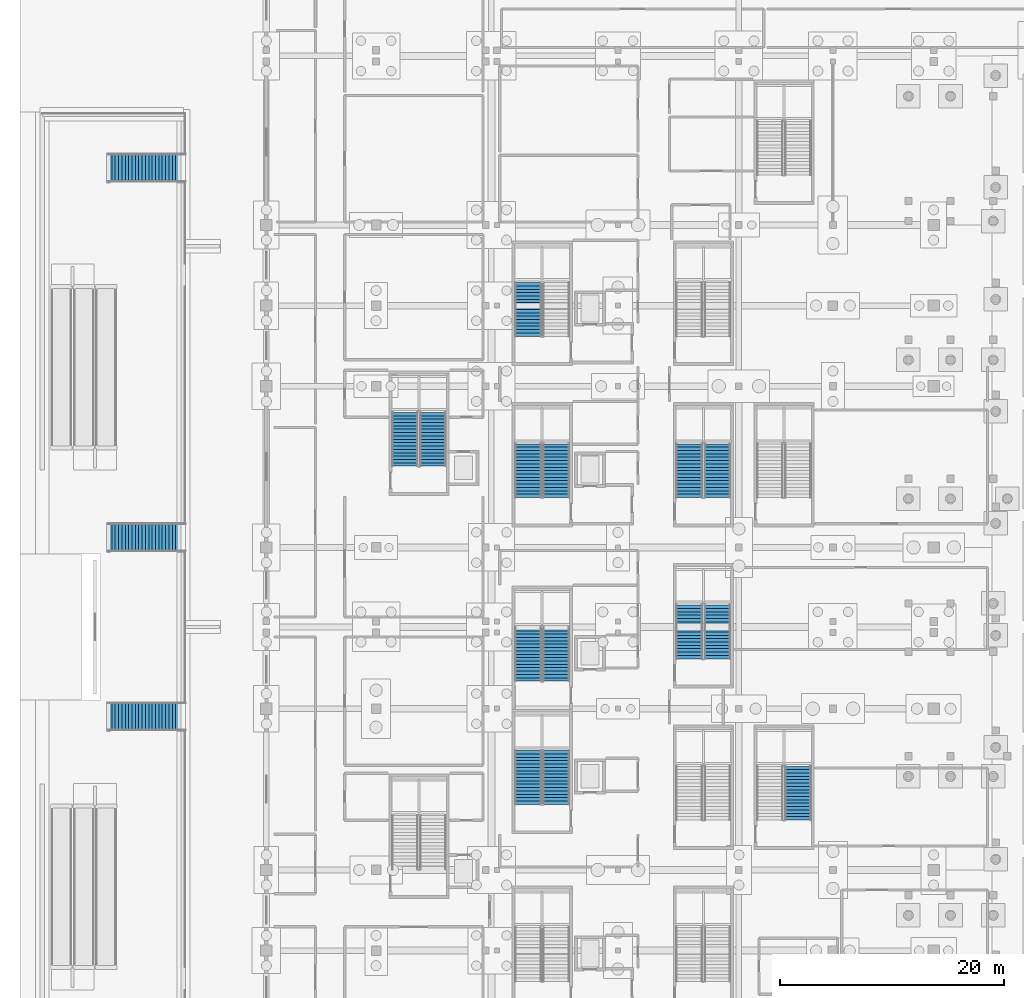
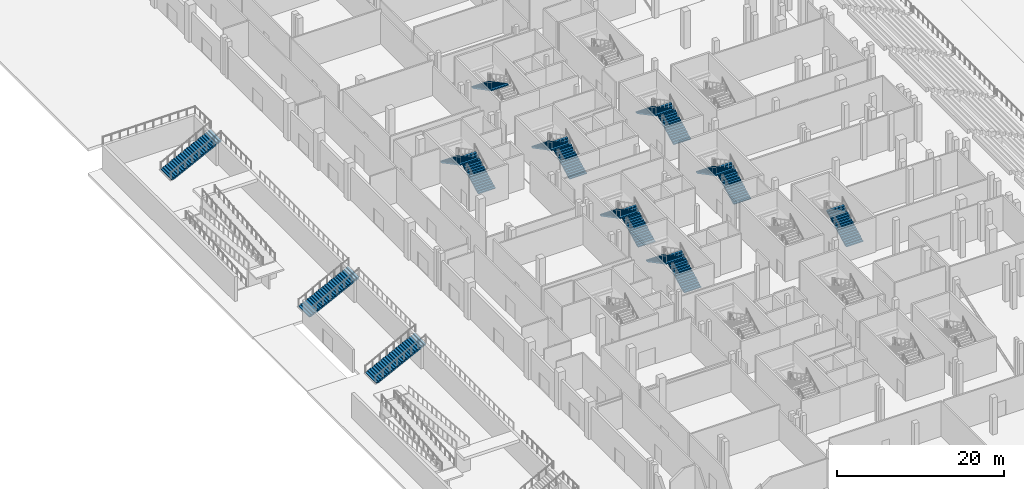
# One storey, part 52 of 89: 17 stair flights, 11 elements without a shape of their own.
"""IFC4 building model written with IfcOpenShell, lengths in metres."""

from ifc_helpers import new_model, si_unit, direction, frame, origin, place, context, subcontext, project, spatial, polyline, outline, extrude, material, type_object, element, aggregate, save


model = new_model("IFC4")

# Units and contexts
model_context = context("Model", 3, precision=1e-05, world=origin(), true_north=direction((0.0, 1.0)))
body_context = subcontext(model_context, "Body", "Model", "MODEL_VIEW")
ifc_project = project(units=[si_unit("LENGTHUNIT", "METRE"), si_unit("AREAUNIT", "SQUARE_METRE"), si_unit("VOLUMEUNIT", "CUBIC_METRE"), si_unit("PLANEANGLEUNIT", "RADIAN"), si_unit("MASSUNIT", "GRAM", prefix="KILO")], contexts=[model_context])

# Site, building, storey
site_placement = place(None, origin())
site = spatial("IfcSite", under=ifc_project, at=site_placement, CompositionType="ELEMENT")
building_placement = place(site_placement, origin())
building = spatial("IfcBuilding", under=site, at=building_placement, Name="Koshinbarg Plaza Stadium", CompositionType="ELEMENT")
storey_placement = place(building_placement, origin())
storey = spatial("IfcBuildingStorey", under=building, at=storey_placement, Name="L00", CompositionType="ELEMENT", Elevation=0.0)

# Stair, stair flights
ifc_material = material(Name="Concrete C35/45", Category="concrete")
stair_type_1 = type_object("IfcStairType", Name="ST-CORE-54", PredefinedType="HALF_TURN_STAIR", material=ifc_material)
stair_1_placement = place(storey_placement, origin())
stair_1 = element("IfcStair", 1, at=stair_1_placement, inside=storey, type_object=stair_type_1, Name="L00 Protected Exit Stair C03", PredefinedType="HALF_TURN_STAIR")
stair_flight_type_1 = type_object("IfcStairFlightType", Name="SFL-CORE-54", PredefinedType="STRAIGHT", material=ifc_material)
stair_flight_1_placement = place(storey_placement, frame((29.889892578125, 60.159912109375, 0.0), z_axis=(0.0, 0.0, 1.0), x_axis=(0.0, 1.0, 0.0)))
stair_flight_1 = element("IfcStairFlight", 2, at=stair_flight_1_placement, type_object=stair_flight_type_1, Name="L00 Protected Exit Stair C03 flight 025", NumberOfRisers=17, NumberOfTreads=16, PredefinedType="STRAIGHT", RiserHeight=0.158823529, TreadLength=0.3, context=body_context, shape_type="SweptSolid", body=[
    extrude(outline(polyline([(0.0, 0.0), (0.0, 0.158935546875), (0.300048828125, 0.158935546875), (0.300048828125, 0.317626953125), (0.60009765625, 0.317626953125), (0.60009765625, 0.4765625), (0.89990234375, 0.4765625), (0.89990234375, 0.63525390625), (1.199951171875, 0.63525390625), (1.199951171875, 0.794189453125), (1.5, 0.794189453125), (1.5, 0.952880859375), (1.800048828125, 0.952880859375), (1.800048828125, 1.11181640625), (2.10009765625, 1.11181640625), (2.10009765625, 1.2705078125), (2.39990234375, 1.2705078125), (2.39990234375, 1.429443359375), (2.699951171875, 1.429443359375), (2.699951171875, 1.588134765625), (3.0, 1.588134765625), (3.0, 1.7470703125), (3.300048828125, 1.7470703125), (3.300048828125, 1.90576171875), (3.60009765625, 1.90576171875), (3.60009765625, 2.064697265625), (3.89990234375, 2.064697265625), (3.89990234375, 2.2236328125), (4.199951171875, 2.2236328125), (4.199951171875, 2.38232421875), (4.5, 2.38232421875), (4.5, 2.541259765625), (4.800048828125, 2.541259765625), (4.800048828125, 2.699951171875), (4.800048828125, 2.37158203125), (0.3203125, 0.0), (0.0, 0.0)])), frame((0.0, 1.18017578125, 0.0), z_axis=(0.0, -1.0, 0.0), x_axis=(1.0, 0.0, 0.0)), (0.0, 0.0, 1.0), 2.360107421875),
])
stair_flight_2_placement = place(storey_placement, frame((27.3798828125, 64.9599609375, 2.699951171875), z_axis=(0.0, 0.0, 1.0), x_axis=(0.0, -1.0, 0.0)))
stair_flight_2 = element("IfcStairFlight", 3, at=stair_flight_2_placement, type_object=stair_flight_type_1, Name="L00 Protected Exit Stair C03 flight 026", NumberOfRisers=17, NumberOfTreads=16, PredefinedType="STRAIGHT", RiserHeight=0.158823529, TreadLength=0.3, context=body_context, shape_type="SweptSolid", body=[
    extrude(outline(polyline([(0.0, 0.0), (0.0, 0.158935546875), (0.300048828125, 0.158935546875), (0.300048828125, 0.317626953125), (0.60009765625, 0.317626953125), (0.60009765625, 0.4765625), (0.89990234375, 0.4765625), (0.89990234375, 0.63525390625), (1.199951171875, 0.63525390625), (1.199951171875, 0.794189453125), (1.5, 0.794189453125), (1.5, 0.952880859375), (1.800048828125, 0.952880859375), (1.800048828125, 1.11181640625), (2.10009765625, 1.11181640625), (2.10009765625, 1.2705078125), (2.39990234375, 1.2705078125), (2.39990234375, 1.429443359375), (2.699951171875, 1.429443359375), (2.699951171875, 1.588134765625), (3.0, 1.588134765625), (3.0, 1.7470703125), (3.300048828125, 1.7470703125), (3.300048828125, 1.90576171875), (3.60009765625, 1.90576171875), (3.60009765625, 2.064697265625), (3.89990234375, 2.064697265625), (3.89990234375, 2.2236328125), (4.199951171875, 2.2236328125), (4.199951171875, 2.38232421875), (4.5, 2.38232421875), (4.5, 2.541259765625), (4.800048828125, 2.541259765625), (4.800048828125, 2.699951171875), (4.800048828125, 2.37158203125), (0.3203125, 0.0), (0.0, 0.0)])), frame((0.0, 1.18017578125, 0.0), z_axis=(0.0, -1.0, 0.0), x_axis=(1.0, 0.0, 0.0)), (0.0, 0.0, 1.0), 2.360107421875),
])
aggregate(stair_1, [stair_flight_1, stair_flight_2])

stair_2_placement = place(storey_placement, origin())
stair_2 = element("IfcStair", 4, at=stair_2_placement, inside=storey, type_object=stair_type_1, Name="L00 Protected Exit Stair C04", PredefinedType="HALF_TURN_STAIR")
stair_flight_3_placement = place(storey_placement, frame((29.889892578125, 71.159912109375, 0.0), z_axis=(0.0, 0.0, 1.0), x_axis=(0.0, 1.0, 0.0)))
stair_flight_3 = element("IfcStairFlight", 5, at=stair_flight_3_placement, type_object=stair_flight_type_1, Name="L00 Protected Exit Stair C04 flight 037", NumberOfRisers=17, NumberOfTreads=16, PredefinedType="STRAIGHT", RiserHeight=0.158823529, TreadLength=0.3, context=body_context, shape_type="SweptSolid", body=[
    extrude(outline(polyline([(0.0, 0.0), (0.0, 0.158935546875), (0.300048828125, 0.158935546875), (0.300048828125, 0.317626953125), (0.60009765625, 0.317626953125), (0.60009765625, 0.4765625), (0.89990234375, 0.4765625), (0.89990234375, 0.63525390625), (1.199951171875, 0.63525390625), (1.199951171875, 0.794189453125), (1.5, 0.794189453125), (1.5, 0.952880859375), (1.800048828125, 0.952880859375), (1.800048828125, 1.11181640625), (2.10009765625, 1.11181640625), (2.10009765625, 1.2705078125), (2.39990234375, 1.2705078125), (2.39990234375, 1.429443359375), (2.699951171875, 1.429443359375), (2.699951171875, 1.588134765625), (3.0, 1.588134765625), (3.0, 1.7470703125), (3.300048828125, 1.7470703125), (3.300048828125, 1.90576171875), (3.60009765625, 1.90576171875), (3.60009765625, 2.064697265625), (3.89990234375, 2.064697265625), (3.89990234375, 2.2236328125), (4.199951171875, 2.2236328125), (4.199951171875, 2.38232421875), (4.5, 2.38232421875), (4.5, 2.541259765625), (4.800048828125, 2.541259765625), (4.800048828125, 2.699951171875), (4.800048828125, 2.37158203125), (0.3203125, 0.0), (0.0, 0.0)])), frame((0.0, 1.18017578125, 0.0), z_axis=(0.0, -1.0, 0.0), x_axis=(1.0, 0.0, 0.0)), (0.0, 0.0, 1.0), 2.360107421875),
])
stair_flight_4_placement = place(storey_placement, frame((27.3798828125, 75.9599609375, 2.699951171875), z_axis=(0.0, 0.0, 1.0), x_axis=(0.0, -1.0, 0.0)))
stair_flight_4 = element("IfcStairFlight", 6, at=stair_flight_4_placement, type_object=stair_flight_type_1, Name="L00 Protected Exit Stair C04 flight 038", NumberOfRisers=17, NumberOfTreads=16, PredefinedType="STRAIGHT", RiserHeight=0.158823529, TreadLength=0.3, context=body_context, shape_type="SweptSolid", body=[
    extrude(outline(polyline([(0.0, 0.0), (0.0, 0.158935546875), (0.300048828125, 0.158935546875), (0.300048828125, 0.317626953125), (0.60009765625, 0.317626953125), (0.60009765625, 0.4765625), (0.89990234375, 0.4765625), (0.89990234375, 0.63525390625), (1.199951171875, 0.63525390625), (1.199951171875, 0.794189453125), (1.5, 0.794189453125), (1.5, 0.952880859375), (1.800048828125, 0.952880859375), (1.800048828125, 1.11181640625), (2.10009765625, 1.11181640625), (2.10009765625, 1.2705078125), (2.39990234375, 1.2705078125), (2.39990234375, 1.429443359375), (2.699951171875, 1.429443359375), (2.699951171875, 1.588134765625), (3.0, 1.588134765625), (3.0, 1.7470703125), (3.300048828125, 1.7470703125), (3.300048828125, 1.90576171875), (3.60009765625, 1.90576171875), (3.60009765625, 2.064697265625), (3.89990234375, 2.064697265625), (3.89990234375, 2.2236328125), (4.199951171875, 2.2236328125), (4.199951171875, 2.38232421875), (4.5, 2.38232421875), (4.5, 2.541259765625), (4.800048828125, 2.541259765625), (4.800048828125, 2.699951171875), (4.800048828125, 2.37158203125), (0.3203125, 0.0), (0.0, 0.0)])), frame((0.0, 1.18017578125, 0.0), z_axis=(0.0, -1.0, 0.0), x_axis=(1.0, 0.0, 0.0)), (0.0, 0.0, 1.0), 2.360107421875),
])
aggregate(stair_2, [stair_flight_3, stair_flight_4])

stair_3_placement = place(storey_placement, origin())
stair_3 = element("IfcStair", 7, at=stair_3_placement, inside=storey, type_object=stair_type_1, Name="L00 Protected Exit Stair C05", PredefinedType="HALF_TURN_STAIR")
stair_flight_5_placement = place(storey_placement, frame((29.889892578125, 87.56005859375, 0.0), z_axis=(0.0, 0.0, 1.0), x_axis=(0.0, 1.0, 0.0)))
stair_flight_5 = element("IfcStairFlight", 8, at=stair_flight_5_placement, type_object=stair_flight_type_1, Name="L00 Protected Exit Stair C05 flight 049", NumberOfRisers=17, NumberOfTreads=16, PredefinedType="STRAIGHT", RiserHeight=0.158823529, TreadLength=0.3, context=body_context, shape_type="SweptSolid", body=[
    extrude(outline(polyline([(0.0, 0.0), (0.0, 0.158935546875), (0.300048828125, 0.158935546875), (0.300048828125, 0.317626953125), (0.60009765625, 0.317626953125), (0.60009765625, 0.4765625), (0.89990234375, 0.4765625), (0.89990234375, 0.63525390625), (1.199951171875, 0.63525390625), (1.199951171875, 0.794189453125), (1.5, 0.794189453125), (1.5, 0.952880859375), (1.800048828125, 0.952880859375), (1.800048828125, 1.11181640625), (2.10009765625, 1.11181640625), (2.10009765625, 1.2705078125), (2.39990234375, 1.2705078125), (2.39990234375, 1.429443359375), (2.699951171875, 1.429443359375), (2.699951171875, 1.588134765625), (3.0, 1.588134765625), (3.0, 1.7470703125), (3.300048828125, 1.7470703125), (3.300048828125, 1.90576171875), (3.60009765625, 1.90576171875), (3.60009765625, 2.064697265625), (3.89990234375, 2.064697265625), (3.89990234375, 2.2236328125), (4.199951171875, 2.2236328125), (4.199951171875, 2.38232421875), (4.5, 2.38232421875), (4.5, 2.541259765625), (4.800048828125, 2.541259765625), (4.800048828125, 2.699951171875), (4.800048828125, 2.37158203125), (0.3203125, 0.0), (0.0, 0.0)])), frame((0.0, 1.18017578125, 0.0), z_axis=(0.0, -1.0, 0.0), x_axis=(1.0, 0.0, 0.0)), (0.0, 0.0, 1.0), 2.360107421875),
])
stair_flight_6_placement = place(storey_placement, frame((27.3798828125, 92.360107421875, 2.699951171875), z_axis=(0.0, 0.0, 1.0), x_axis=(0.0, -1.0, 0.0)))
stair_flight_6 = element("IfcStairFlight", 9, at=stair_flight_6_placement, type_object=stair_flight_type_1, Name="L00 Protected Exit Stair C05 flight 050", NumberOfRisers=17, NumberOfTreads=16, PredefinedType="STRAIGHT", RiserHeight=0.158823529, TreadLength=0.3, context=body_context, shape_type="SweptSolid", body=[
    extrude(outline(polyline([(0.0, 0.0), (0.0, 0.158935546875), (0.300048828125, 0.158935546875), (0.300048828125, 0.317626953125), (0.60009765625, 0.317626953125), (0.60009765625, 0.4765625), (0.89990234375, 0.4765625), (0.89990234375, 0.63525390625), (1.199951171875, 0.63525390625), (1.199951171875, 0.794189453125), (1.5, 0.794189453125), (1.5, 0.952880859375), (1.800048828125, 0.952880859375), (1.800048828125, 1.11181640625), (2.10009765625, 1.11181640625), (2.10009765625, 1.2705078125), (2.39990234375, 1.2705078125), (2.39990234375, 1.429443359375), (2.699951171875, 1.429443359375), (2.699951171875, 1.588134765625), (3.0, 1.588134765625), (3.0, 1.7470703125), (3.300048828125, 1.7470703125), (3.300048828125, 1.90576171875), (3.60009765625, 1.90576171875), (3.60009765625, 2.064697265625), (3.89990234375, 2.064697265625), (3.89990234375, 2.2236328125), (4.199951171875, 2.2236328125), (4.199951171875, 2.38232421875), (4.5, 2.38232421875), (4.5, 2.541259765625), (4.800048828125, 2.541259765625), (4.800048828125, 2.699951171875), (4.800048828125, 2.37158203125), (0.3203125, 0.0), (0.0, 0.0)])), frame((0.0, 1.18017578125, 0.0), z_axis=(0.0, -1.0, 0.0), x_axis=(1.0, 0.0, 0.0)), (0.0, 0.0, 1.0), 2.360107421875),
])
aggregate(stair_3, [stair_flight_5, stair_flight_6])

# Stair, stair flight
stair_4_placement = place(storey_placement, origin())
stair_4 = element("IfcStair", 10, at=stair_4_placement, inside=storey, type_object=stair_type_1, Name="L00 Protected Exit Stair C06", PredefinedType="HALF_TURN_STAIR")
stair_flight_7_placement = place(storey_placement, frame((27.3798828125, 106.760009765625, 2.699951171875), z_axis=(0.0, 0.0, 1.0), x_axis=(0.0, -1.0, 0.0)))
stair_flight_7 = element("IfcStairFlight", 11, at=stair_flight_7_placement, type_object=stair_flight_type_1, Name="L00 Protected Exit Stair C06 flight 062", NumberOfRisers=17, NumberOfTreads=16, PredefinedType="STRAIGHT", RiserHeight=0.158823529, TreadLength=0.3, context=body_context, shape_type="SweptSolid", body=[
    extrude(outline(polyline([(0.0, 0.0), (0.0, 0.158935546875), (0.300048828125, 0.158935546875), (0.300048828125, 0.317626953125), (0.60009765625, 0.317626953125), (0.60009765625, 0.4765625), (0.89990234375, 0.4765625), (0.89990234375, 0.63525390625), (1.199951171875, 0.63525390625), (1.199951171875, 0.794189453125), (1.5, 0.794189453125), (1.5, 0.952880859375), (1.800048828125, 0.952880859375), (1.800048828125, 1.11181640625), (2.10009765625, 1.11181640625), (2.10009765625, 1.2705078125), (2.39990234375, 1.2705078125), (2.39990234375, 1.429443359375), (2.699951171875, 1.429443359375), (2.699951171875, 1.588134765625), (3.0, 1.588134765625), (3.0, 1.7470703125), (3.300048828125, 1.7470703125), (3.300048828125, 1.90576171875), (3.60009765625, 1.90576171875), (3.60009765625, 2.064697265625), (3.89990234375, 2.064697265625), (3.89990234375, 2.2236328125), (4.199951171875, 2.2236328125), (4.199951171875, 2.38232421875), (4.5, 2.38232421875), (4.5, 2.541259765625), (4.800048828125, 2.541259765625), (4.800048828125, 2.699951171875), (4.800048828125, 2.37158203125), (0.3203125, 0.0), (0.0, 0.0)])), frame((0.0, 1.18017578125, 0.0), z_axis=(0.0, -1.0, 0.0), x_axis=(1.0, 0.0, 0.0)), (0.0, 0.0, 1.0), 2.360107421875),
])
aggregate(stair_4, [stair_flight_7])

# Stair, stair flights
stair_5_placement = place(storey_placement, origin())
stair_5 = element("IfcStair", 12, at=stair_5_placement, inside=storey, type_object=stair_type_1, Name="L00 Protected Exit Stair C15", PredefinedType="HALF_TURN_STAIR")
stair_flight_8_placement = place(storey_placement, frame((18.889892578125, 90.360107421875, 0.0), z_axis=(0.0, 0.0, 1.0), x_axis=(0.0, 1.0, 0.0)))
stair_flight_8 = element("IfcStairFlight", 13, at=stair_flight_8_placement, type_object=stair_flight_type_1, Name="L00 Protected Exit Stair C15 flight 141", NumberOfRisers=17, NumberOfTreads=16, PredefinedType="STRAIGHT", RiserHeight=0.158823529, TreadLength=0.3, context=body_context, shape_type="SweptSolid", body=[
    extrude(outline(polyline([(0.0, 0.0), (0.0, 0.158935546875), (0.300048828125, 0.158935546875), (0.300048828125, 0.317626953125), (0.60009765625, 0.317626953125), (0.60009765625, 0.4765625), (0.89990234375, 0.4765625), (0.89990234375, 0.63525390625), (1.199951171875, 0.63525390625), (1.199951171875, 0.794189453125), (1.5, 0.794189453125), (1.5, 0.952880859375), (1.800048828125, 0.952880859375), (1.800048828125, 1.11181640625), (2.10009765625, 1.11181640625), (2.10009765625, 1.2705078125), (2.39990234375, 1.2705078125), (2.39990234375, 1.429443359375), (2.699951171875, 1.429443359375), (2.699951171875, 1.588134765625), (3.0, 1.588134765625), (3.0, 1.7470703125), (3.300048828125, 1.7470703125), (3.300048828125, 1.90576171875), (3.60009765625, 1.90576171875), (3.60009765625, 2.064697265625), (3.89990234375, 2.064697265625), (3.89990234375, 2.2236328125), (4.199951171875, 2.2236328125), (4.199951171875, 2.38232421875), (4.5, 2.38232421875), (4.5, 2.541259765625), (4.800048828125, 2.541259765625), (4.800048828125, 2.699951171875), (4.800048828125, 2.37158203125), (0.3203125, 0.0), (0.0, 0.0)])), frame((0.0, 1.18017578125, 0.0), z_axis=(0.0, -1.0, 0.0), x_axis=(1.0, 0.0, 0.0)), (0.0, 0.0, 1.0), 2.360107421875),
])
stair_flight_9_placement = place(storey_placement, frame((16.3798828125, 95.159912109375, 2.699951171875), z_axis=(0.0, 0.0, 1.0), x_axis=(0.0, -1.0, 0.0)))
stair_flight_9 = element("IfcStairFlight", 14, at=stair_flight_9_placement, type_object=stair_flight_type_1, Name="L00 Protected Exit Stair C15 flight 142", NumberOfRisers=17, NumberOfTreads=16, PredefinedType="STRAIGHT", RiserHeight=0.158823529, TreadLength=0.3, context=body_context, shape_type="SweptSolid", body=[
    extrude(outline(polyline([(0.0, 0.0), (0.0, 0.158935546875), (0.300048828125, 0.158935546875), (0.300048828125, 0.317626953125), (0.60009765625, 0.317626953125), (0.60009765625, 0.4765625), (0.89990234375, 0.4765625), (0.89990234375, 0.63525390625), (1.199951171875, 0.63525390625), (1.199951171875, 0.794189453125), (1.5, 0.794189453125), (1.5, 0.952880859375), (1.800048828125, 0.952880859375), (1.800048828125, 1.11181640625), (2.10009765625, 1.11181640625), (2.10009765625, 1.2705078125), (2.39990234375, 1.2705078125), (2.39990234375, 1.429443359375), (2.699951171875, 1.429443359375), (2.699951171875, 1.588134765625), (3.0, 1.588134765625), (3.0, 1.7470703125), (3.300048828125, 1.7470703125), (3.300048828125, 1.90576171875), (3.60009765625, 1.90576171875), (3.60009765625, 2.064697265625), (3.89990234375, 2.064697265625), (3.89990234375, 2.2236328125), (4.199951171875, 2.2236328125), (4.199951171875, 2.38232421875), (4.5, 2.38232421875), (4.5, 2.541259765625), (4.800048828125, 2.541259765625), (4.800048828125, 2.699951171875), (4.800048828125, 2.37158203125), (0.3203125, 0.0), (0.0, 0.0)])), frame((0.0, 1.18017578125, 0.0), z_axis=(0.0, -1.0, 0.0), x_axis=(1.0, 0.0, 0.0)), (0.0, 0.0, 1.0), 2.360107421875),
])
aggregate(stair_5, [stair_flight_8, stair_flight_9])

stair_type_2 = type_object("IfcStairType", Name="ST-VOM-54", PredefinedType="HALF_TURN_STAIR", material=ifc_material)
stair_6_placement = place(storey_placement, origin())
stair_6 = element("IfcStair", 15, at=stair_6_placement, inside=storey, type_object=stair_type_2, Name="L00 Upper Vomitory Stair VX04", PredefinedType="HALF_TURN_STAIR")
stair_flight_10_placement = place(storey_placement, frame((44.2900390625, 73.159912109375, 0.0), z_axis=(0.0, 0.0, 1.0), x_axis=(0.0, 1.0, 0.0)))
stair_flight_10 = element("IfcStairFlight", 16, at=stair_flight_10_placement, type_object=stair_flight_type_1, Name="L00 Upper Vomitory Stair VX04 flight 167", NumberOfRisers=17, NumberOfTreads=16, PredefinedType="STRAIGHT", RiserHeight=0.158823529, TreadLength=0.3, context=body_context, shape_type="SweptSolid", body=[
    extrude(outline(polyline([(0.0, 0.0), (0.0, 0.158935546875), (0.300048828125, 0.158935546875), (0.300048828125, 0.317626953125), (0.60009765625, 0.317626953125), (0.60009765625, 0.4765625), (0.89990234375, 0.4765625), (0.89990234375, 0.63525390625), (1.199951171875, 0.63525390625), (1.199951171875, 0.794189453125), (1.5, 0.794189453125), (1.5, 0.952880859375), (1.800048828125, 0.952880859375), (1.800048828125, 1.11181640625), (2.10009765625, 1.11181640625), (2.10009765625, 1.2705078125), (2.39990234375, 1.2705078125), (2.39990234375, 1.429443359375), (2.699951171875, 1.429443359375), (2.699951171875, 1.588134765625), (3.0, 1.588134765625), (3.0, 1.7470703125), (3.300048828125, 1.7470703125), (3.300048828125, 1.90576171875), (3.60009765625, 1.90576171875), (3.60009765625, 2.064697265625), (3.89990234375, 2.064697265625), (3.89990234375, 2.2236328125), (4.199951171875, 2.2236328125), (4.199951171875, 2.38232421875), (4.5, 2.38232421875), (4.5, 2.541259765625), (4.800048828125, 2.541259765625), (4.800048828125, 2.699951171875), (4.800048828125, 2.37158203125), (0.3203125, 0.0), (0.0, 0.0)])), frame((0.0, 1.18017578125, 0.0), z_axis=(0.0, -1.0, 0.0), x_axis=(1.0, 0.0, 0.0)), (0.0, 0.0, 1.0), 2.360107421875),
])
stair_flight_11_placement = place(storey_placement, frame((41.780029296875, 77.9599609375, 2.699951171875), z_axis=(0.0, 0.0, 1.0), x_axis=(0.0, -1.0, 0.0)))
stair_flight_11 = element("IfcStairFlight", 17, at=stair_flight_11_placement, type_object=stair_flight_type_1, Name="L00 Upper Vomitory Stair VX04 flight 168", NumberOfRisers=17, NumberOfTreads=16, PredefinedType="STRAIGHT", RiserHeight=0.158823529, TreadLength=0.3, context=body_context, shape_type="SweptSolid", body=[
    extrude(outline(polyline([(0.0, 0.0), (0.0, 0.158935546875), (0.300048828125, 0.158935546875), (0.300048828125, 0.317626953125), (0.60009765625, 0.317626953125), (0.60009765625, 0.4765625), (0.89990234375, 0.4765625), (0.89990234375, 0.63525390625), (1.199951171875, 0.63525390625), (1.199951171875, 0.794189453125), (1.5, 0.794189453125), (1.5, 0.952880859375), (1.800048828125, 0.952880859375), (1.800048828125, 1.11181640625), (2.10009765625, 1.11181640625), (2.10009765625, 1.2705078125), (2.39990234375, 1.2705078125), (2.39990234375, 1.429443359375), (2.699951171875, 1.429443359375), (2.699951171875, 1.588134765625), (3.0, 1.588134765625), (3.0, 1.7470703125), (3.300048828125, 1.7470703125), (3.300048828125, 1.90576171875), (3.60009765625, 1.90576171875), (3.60009765625, 2.064697265625), (3.89990234375, 2.064697265625), (3.89990234375, 2.2236328125), (4.199951171875, 2.2236328125), (4.199951171875, 2.38232421875), (4.5, 2.38232421875), (4.5, 2.541259765625), (4.800048828125, 2.541259765625), (4.800048828125, 2.699951171875), (4.800048828125, 2.37158203125), (0.3203125, 0.0), (0.0, 0.0)])), frame((0.0, 1.18017578125, 0.0), z_axis=(0.0, -1.0, 0.0), x_axis=(1.0, 0.0, 0.0)), (0.0, 0.0, 1.0), 2.360107421875),
])
aggregate(stair_6, [stair_flight_10, stair_flight_11])

stair_7_placement = place(storey_placement, origin())
stair_7 = element("IfcStair", 18, at=stair_7_placement, inside=storey, type_object=stair_type_2, Name="L00 Upper Vomitory Stair VX05", PredefinedType="HALF_TURN_STAIR")
stair_flight_12_placement = place(storey_placement, frame((44.2900390625, 87.56005859375, 0.0), z_axis=(0.0, 0.0, 1.0), x_axis=(0.0, 1.0, 0.0)))
stair_flight_12 = element("IfcStairFlight", 19, at=stair_flight_12_placement, type_object=stair_flight_type_1, Name="L00 Upper Vomitory Stair VX05 flight 173", NumberOfRisers=17, NumberOfTreads=16, PredefinedType="STRAIGHT", RiserHeight=0.158823529, TreadLength=0.3, context=body_context, shape_type="SweptSolid", body=[
    extrude(outline(polyline([(0.0, 0.0), (0.0, 0.158935546875), (0.300048828125, 0.158935546875), (0.300048828125, 0.317626953125), (0.60009765625, 0.317626953125), (0.60009765625, 0.4765625), (0.89990234375, 0.4765625), (0.89990234375, 0.63525390625), (1.199951171875, 0.63525390625), (1.199951171875, 0.794189453125), (1.5, 0.794189453125), (1.5, 0.952880859375), (1.800048828125, 0.952880859375), (1.800048828125, 1.11181640625), (2.10009765625, 1.11181640625), (2.10009765625, 1.2705078125), (2.39990234375, 1.2705078125), (2.39990234375, 1.429443359375), (2.699951171875, 1.429443359375), (2.699951171875, 1.588134765625), (3.0, 1.588134765625), (3.0, 1.7470703125), (3.300048828125, 1.7470703125), (3.300048828125, 1.90576171875), (3.60009765625, 1.90576171875), (3.60009765625, 2.064697265625), (3.89990234375, 2.064697265625), (3.89990234375, 2.2236328125), (4.199951171875, 2.2236328125), (4.199951171875, 2.38232421875), (4.5, 2.38232421875), (4.5, 2.541259765625), (4.800048828125, 2.541259765625), (4.800048828125, 2.699951171875), (4.800048828125, 2.37158203125), (0.3203125, 0.0), (0.0, 0.0)])), frame((0.0, 1.18017578125, 0.0), z_axis=(0.0, -1.0, 0.0), x_axis=(1.0, 0.0, 0.0)), (0.0, 0.0, 1.0), 2.360107421875),
])
stair_flight_13_placement = place(storey_placement, frame((41.780029296875, 92.360107421875, 2.699951171875), z_axis=(0.0, 0.0, 1.0), x_axis=(0.0, -1.0, 0.0)))
stair_flight_13 = element("IfcStairFlight", 20, at=stair_flight_13_placement, type_object=stair_flight_type_1, Name="L00 Upper Vomitory Stair VX05 flight 174", NumberOfRisers=17, NumberOfTreads=16, PredefinedType="STRAIGHT", RiserHeight=0.158823529, TreadLength=0.3, context=body_context, shape_type="SweptSolid", body=[
    extrude(outline(polyline([(0.0, 0.0), (0.0, 0.158935546875), (0.300048828125, 0.158935546875), (0.300048828125, 0.317626953125), (0.60009765625, 0.317626953125), (0.60009765625, 0.4765625), (0.89990234375, 0.4765625), (0.89990234375, 0.63525390625), (1.199951171875, 0.63525390625), (1.199951171875, 0.794189453125), (1.5, 0.794189453125), (1.5, 0.952880859375), (1.800048828125, 0.952880859375), (1.800048828125, 1.11181640625), (2.10009765625, 1.11181640625), (2.10009765625, 1.2705078125), (2.39990234375, 1.2705078125), (2.39990234375, 1.429443359375), (2.699951171875, 1.429443359375), (2.699951171875, 1.588134765625), (3.0, 1.588134765625), (3.0, 1.7470703125), (3.300048828125, 1.7470703125), (3.300048828125, 1.90576171875), (3.60009765625, 1.90576171875), (3.60009765625, 2.064697265625), (3.89990234375, 2.064697265625), (3.89990234375, 2.2236328125), (4.199951171875, 2.2236328125), (4.199951171875, 2.38232421875), (4.5, 2.38232421875), (4.5, 2.541259765625), (4.800048828125, 2.541259765625), (4.800048828125, 2.699951171875), (4.800048828125, 2.37158203125), (0.3203125, 0.0), (0.0, 0.0)])), frame((0.0, 1.18017578125, 0.0), z_axis=(0.0, -1.0, 0.0), x_axis=(1.0, 0.0, 0.0)), (0.0, 0.0, 1.0), 2.360107421875),
])
aggregate(stair_7, [stair_flight_12, stair_flight_13])

# Stair, stair flight
stair_8_placement = place(storey_placement, origin())
stair_8 = element("IfcStair", 21, at=stair_8_placement, inside=storey, type_object=stair_type_2, Name="L00 Lower Vomitory Stair VL02", PredefinedType="HALF_TURN_STAIR")
stair_flight_14_placement = place(storey_placement, frame((51.489990234375, 58.760009765625, 0.0), z_axis=(0.0, 0.0, 1.0), x_axis=(0.0, 1.0, 0.0)))
stair_flight_14 = element("IfcStairFlight", 22, at=stair_flight_14_placement, type_object=stair_flight_type_1, Name="L00 Lower Vomitory Stair VL02 flight 223", NumberOfRisers=17, NumberOfTreads=16, PredefinedType="STRAIGHT", RiserHeight=0.158823529, TreadLength=0.3, context=body_context, shape_type="SweptSolid", body=[
    extrude(outline(polyline([(0.0, 0.0), (0.0, 0.158935546875), (0.300048828125, 0.158935546875), (0.300048828125, 0.317626953125), (0.60009765625, 0.317626953125), (0.60009765625, 0.4765625), (0.89990234375, 0.4765625), (0.89990234375, 0.63525390625), (1.199951171875, 0.63525390625), (1.199951171875, 0.794189453125), (1.5, 0.794189453125), (1.5, 0.952880859375), (1.800048828125, 0.952880859375), (1.800048828125, 1.11181640625), (2.10009765625, 1.11181640625), (2.10009765625, 1.2705078125), (2.39990234375, 1.2705078125), (2.39990234375, 1.429443359375), (2.699951171875, 1.429443359375), (2.699951171875, 1.588134765625), (3.0, 1.588134765625), (3.0, 1.7470703125), (3.300048828125, 1.7470703125), (3.300048828125, 1.90576171875), (3.60009765625, 1.90576171875), (3.60009765625, 2.064697265625), (3.89990234375, 2.064697265625), (3.89990234375, 2.2236328125), (4.199951171875, 2.2236328125), (4.199951171875, 2.38232421875), (4.5, 2.38232421875), (4.5, 2.541259765625), (4.800048828125, 2.541259765625), (4.800048828125, 2.699951171875), (4.800048828125, 2.37158203125), (0.3203125, 0.0), (0.0, 0.0)])), frame((0.0, 1.18017578125, 0.0), z_axis=(0.0, -1.0, 0.0), x_axis=(1.0, 0.0, 0.0)), (0.0, 0.0, 1.0), 2.360107421875),
])
aggregate(stair_8, [stair_flight_14])

stair_type_3 = type_object("IfcStairType", Name="ST-FORECOURT", PredefinedType="STRAIGHT_RUN_STAIR", material=ifc_material)
stair_9_placement = place(storey_placement, origin())
stair_9 = element("IfcStair", 23, at=stair_9_placement, inside=storey, type_object=stair_type_3, Name="Metro forecourt ceremonial stair ST-FC-02", PredefinedType="STRAIGHT_RUN_STAIR")
stair_flight_type_2 = type_object("IfcStairFlightType", Name="SFL-FORECOURT", PredefinedType="STRAIGHT", material=ifc_material)
stair_flight_15_placement = place(storey_placement, frame((-10.10009765625, 68.0, -3.60009765625), z_axis=(0.0, 0.0, 1.0), x_axis=(1.0, 0.0, 0.0)))
stair_flight_15 = element("IfcStairFlight", 24, at=stair_flight_15_placement, type_object=stair_flight_type_2, Name="ST-FC02 flight 1", NumberOfRisers=24, NumberOfTreads=23, PredefinedType="STRAIGHT", RiserHeight=0.15, TreadLength=0.3, context=body_context, shape_type="SweptSolid", body=[
    extrude(outline(polyline([(0.0, 0.0), (0.0, 0.14990234375), (0.300048828125, 0.14990234375), (0.300048828125, 0.300048828125), (0.60009765625, 0.300048828125), (0.60009765625, 0.449951171875), (0.89990234375, 0.449951171875), (0.89990234375, 0.60009765625), (1.199951171875, 0.60009765625), (1.199951171875, 0.75), (1.5, 0.75), (1.5, 0.89990234375), (1.800048828125, 0.89990234375), (1.800048828125, 1.050048828125), (2.10009765625, 1.050048828125), (2.10009765625, 1.199951171875), (2.39990234375, 1.199951171875), (2.39990234375, 1.35009765625), (2.699951171875, 1.35009765625), (2.699951171875, 1.5), (3.0, 1.5), (3.0, 1.64990234375), (3.300048828125, 1.64990234375), (3.300048828125, 1.800048828125), (3.60009765625, 1.800048828125), (3.60009765625, 1.949951171875), (3.89990234375, 1.949951171875), (3.89990234375, 2.10009765625), (4.199951171875, 2.10009765625), (4.199951171875, 2.25), (4.5, 2.25), (4.5, 2.39990234375), (4.800048828125, 2.39990234375), (4.800048828125, 2.550048828125), (5.10009765625, 2.550048828125), (5.10009765625, 2.699951171875), (5.39990234375, 2.699951171875), (5.39990234375, 2.85009765625), (5.699951171875, 2.85009765625), (5.699951171875, 3.0), (6.0, 3.0), (6.0, 3.14990234375), (6.300048828125, 3.14990234375), (6.300048828125, 3.300048828125), (6.60009765625, 3.300048828125), (6.60009765625, 3.449951171875), (6.89990234375, 3.449951171875), (6.89990234375, 3.60009765625), (6.89990234375, 3.282470703125), (0.335205078125, 0.0), (0.0, 0.0)])), frame((0.0, 1.300048828125, 0.0), z_axis=(0.0, -1.0, 0.0), x_axis=(1.0, 0.0, 0.0)), (0.0, 0.0, 1.0), 2.60009765625),
])
aggregate(stair_9, [stair_flight_15])

stair_10_placement = place(storey_placement, origin())
stair_10 = element("IfcStair", 25, at=stair_10_placement, inside=storey, type_object=stair_type_3, Name="Metro forecourt ceremonial stair ST-FC-03", PredefinedType="STRAIGHT_RUN_STAIR")
stair_flight_16_placement = place(storey_placement, frame((-10.10009765625, 84.0, -3.60009765625), z_axis=(0.0, 0.0, 1.0), x_axis=(1.0, 0.0, 0.0)))
stair_flight_16 = element("IfcStairFlight", 26, at=stair_flight_16_placement, type_object=stair_flight_type_2, Name="ST-FC03 flight 1", NumberOfRisers=24, NumberOfTreads=23, PredefinedType="STRAIGHT", RiserHeight=0.15, TreadLength=0.3, context=body_context, shape_type="SweptSolid", body=[
    extrude(outline(polyline([(0.0, 0.0), (0.0, 0.14990234375), (0.300048828125, 0.14990234375), (0.300048828125, 0.300048828125), (0.60009765625, 0.300048828125), (0.60009765625, 0.449951171875), (0.89990234375, 0.449951171875), (0.89990234375, 0.60009765625), (1.199951171875, 0.60009765625), (1.199951171875, 0.75), (1.5, 0.75), (1.5, 0.89990234375), (1.800048828125, 0.89990234375), (1.800048828125, 1.050048828125), (2.10009765625, 1.050048828125), (2.10009765625, 1.199951171875), (2.39990234375, 1.199951171875), (2.39990234375, 1.35009765625), (2.699951171875, 1.35009765625), (2.699951171875, 1.5), (3.0, 1.5), (3.0, 1.64990234375), (3.300048828125, 1.64990234375), (3.300048828125, 1.800048828125), (3.60009765625, 1.800048828125), (3.60009765625, 1.949951171875), (3.89990234375, 1.949951171875), (3.89990234375, 2.10009765625), (4.199951171875, 2.10009765625), (4.199951171875, 2.25), (4.5, 2.25), (4.5, 2.39990234375), (4.800048828125, 2.39990234375), (4.800048828125, 2.550048828125), (5.10009765625, 2.550048828125), (5.10009765625, 2.699951171875), (5.39990234375, 2.699951171875), (5.39990234375, 2.85009765625), (5.699951171875, 2.85009765625), (5.699951171875, 3.0), (6.0, 3.0), (6.0, 3.14990234375), (6.300048828125, 3.14990234375), (6.300048828125, 3.300048828125), (6.60009765625, 3.300048828125), (6.60009765625, 3.449951171875), (6.89990234375, 3.449951171875), (6.89990234375, 3.60009765625), (6.89990234375, 3.282470703125), (0.335205078125, 0.0), (0.0, 0.0)])), frame((0.0, 1.300048828125, 0.0), z_axis=(0.0, -1.0, 0.0), x_axis=(1.0, 0.0, 0.0)), (0.0, 0.0, 1.0), 2.60009765625),
])
aggregate(stair_10, [stair_flight_16])

stair_11_placement = place(storey_placement, origin())
stair_11 = element("IfcStair", 27, at=stair_11_placement, inside=storey, type_object=stair_type_3, Name="Metro forecourt ceremonial stair ST-FC-04", PredefinedType="STRAIGHT_RUN_STAIR")
stair_flight_17_placement = place(storey_placement, frame((-10.10009765625, 117.0, -3.60009765625), z_axis=(0.0, 0.0, 1.0), x_axis=(1.0, 0.0, 0.0)))
stair_flight_17 = element("IfcStairFlight", 28, at=stair_flight_17_placement, type_object=stair_flight_type_2, Name="ST-FC04 flight 1", NumberOfRisers=24, NumberOfTreads=23, PredefinedType="STRAIGHT", RiserHeight=0.15, TreadLength=0.3, context=body_context, shape_type="SweptSolid", body=[
    extrude(outline(polyline([(0.0, 0.0), (0.0, 0.14990234375), (0.300048828125, 0.14990234375), (0.300048828125, 0.300048828125), (0.60009765625, 0.300048828125), (0.60009765625, 0.449951171875), (0.89990234375, 0.449951171875), (0.89990234375, 0.60009765625), (1.199951171875, 0.60009765625), (1.199951171875, 0.75), (1.5, 0.75), (1.5, 0.89990234375), (1.800048828125, 0.89990234375), (1.800048828125, 1.050048828125), (2.10009765625, 1.050048828125), (2.10009765625, 1.199951171875), (2.39990234375, 1.199951171875), (2.39990234375, 1.35009765625), (2.699951171875, 1.35009765625), (2.699951171875, 1.5), (3.0, 1.5), (3.0, 1.64990234375), (3.300048828125, 1.64990234375), (3.300048828125, 1.800048828125), (3.60009765625, 1.800048828125), (3.60009765625, 1.949951171875), (3.89990234375, 1.949951171875), (3.89990234375, 2.10009765625), (4.199951171875, 2.10009765625), (4.199951171875, 2.25), (4.5, 2.25), (4.5, 2.39990234375), (4.800048828125, 2.39990234375), (4.800048828125, 2.550048828125), (5.10009765625, 2.550048828125), (5.10009765625, 2.699951171875), (5.39990234375, 2.699951171875), (5.39990234375, 2.85009765625), (5.699951171875, 2.85009765625), (5.699951171875, 3.0), (6.0, 3.0), (6.0, 3.14990234375), (6.300048828125, 3.14990234375), (6.300048828125, 3.300048828125), (6.60009765625, 3.300048828125), (6.60009765625, 3.449951171875), (6.89990234375, 3.449951171875), (6.89990234375, 3.60009765625), (6.89990234375, 3.282470703125), (0.335205078125, 0.0), (0.0, 0.0)])), frame((0.0, 1.300048828125, 0.0), z_axis=(0.0, -1.0, 0.0), x_axis=(1.0, 0.0, 0.0)), (0.0, 0.0, 1.0), 2.60009765625),
])
aggregate(stair_11, [stair_flight_17])

save(model, "model.ifc")
